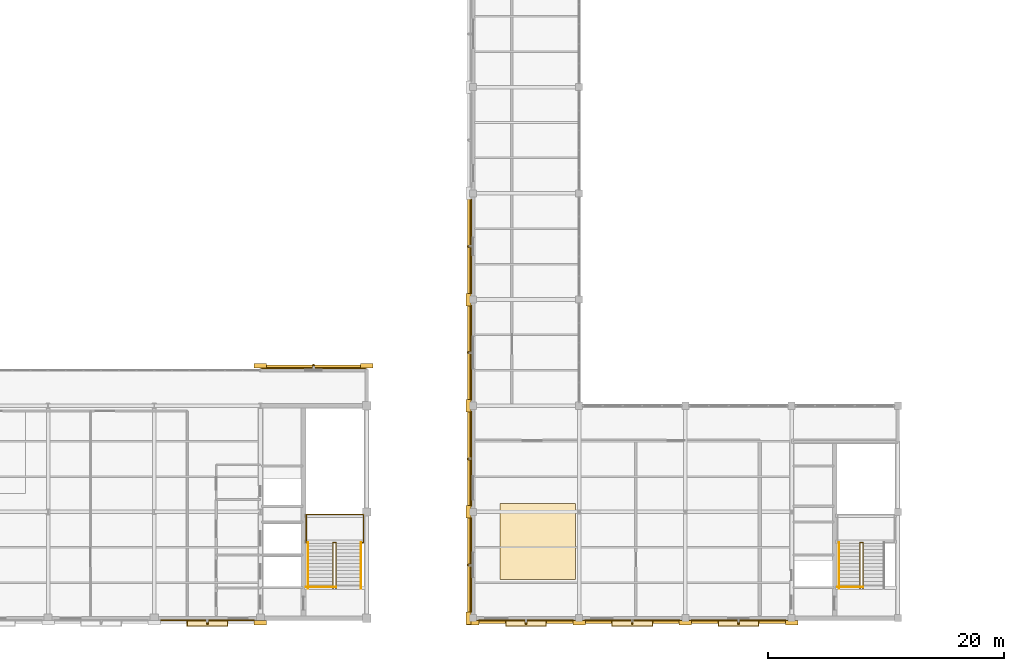
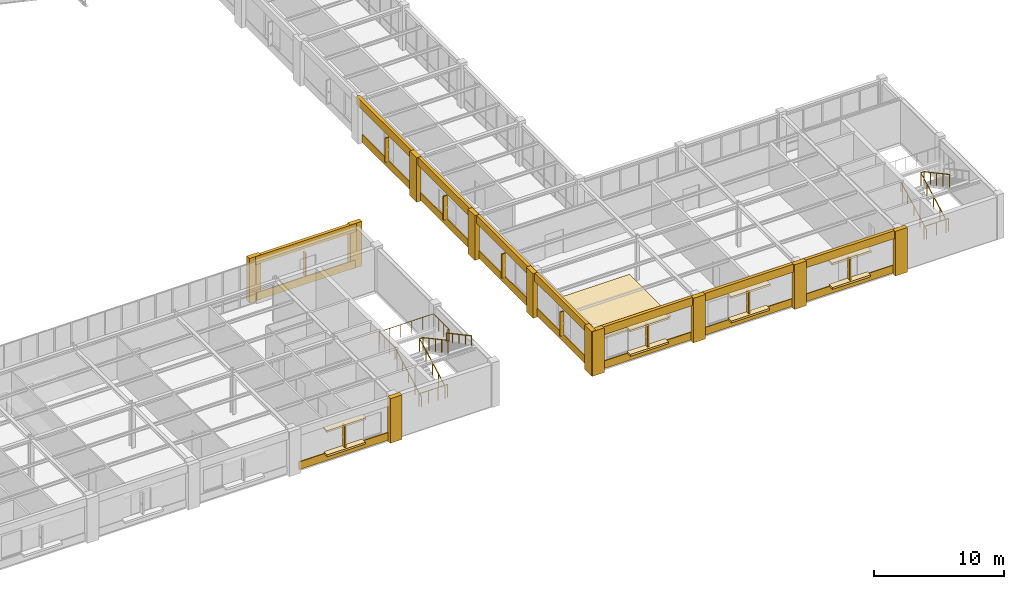
# One storey, part 125 of 130: 37 coverings, 9 shading devices, 8 railings.
"""IFC4 building model written with IfcOpenShell, lengths in metres."""

from ifc_helpers import new_model, si_unit, direction, frame, origin, origin_2d, place, context, subcontext, project, spatial, rectangle, circle, extrude, material, layer, layer_set, type_object, element, save


model = new_model("IFC4")

# Units and contexts
model_context = context("Model", 3, precision=1e-05, world=origin(), true_north=direction((0.0, 1.0)))
body_context = subcontext(model_context, "Body", "Model", "MODEL_VIEW")
ifc_project = project(units=[si_unit("LENGTHUNIT", "METRE"), si_unit("AREAUNIT", "SQUARE_METRE"), si_unit("VOLUMEUNIT", "CUBIC_METRE"), si_unit("PLANEANGLEUNIT", "RADIAN"), si_unit("MASSUNIT", "GRAM", prefix="KILO")], contexts=[model_context])

# Site, building, storey
site_placement = place(None, origin())
site = spatial("IfcSite", under=ifc_project, at=site_placement, CompositionType="ELEMENT")
building_placement = place(site_placement, origin())
building = spatial("IfcBuilding", under=site, at=building_placement, Name="Lykobir Media Centre", CompositionType="ELEMENT")
storey_placement = place(building_placement, frame((0.0, 0.0, 19.199951171875)))
storey = spatial("IfcBuildingStorey", under=building, at=storey_placement, Name="L04", CompositionType="ELEMENT", Elevation=19.199951171875)

# Coverings
ifc_material_1 = material(Name="Glazed Turquoise Terracotta", Category="masonry")
ifc_layer_1 = layer(ifc_material_1, 0.0400390625, Name="Glazed Turquoise Terracotta")
ifc_layer_set_1 = layer_set([ifc_layer_1], Name="Glazed Turquoise Terracotta")
covering_type_1 = type_object("IfcCoveringType", Name="CLD-TERR", PredefinedType="CLADDING", material=ifc_layer_set_1)
covering_1_placement = place(storey_placement, frame((67.5, -0.1708984375, 0.080078125), z_axis=(0.0, 0.0, 1.0), x_axis=(1.0, 0.0, 0.0)))
element("IfcCovering", 1, at=covering_1_placement, inside=storey, type_object=covering_type_1, Name="Facade spandrel apron 618", PredefinedType="CLADDING", context=body_context, shape_type="SweptSolid", body=[
    extrude(rectangle(XDim=7.929931640625, YDim=0.10009765625, at=origin_2d()), origin(), (0.0, 0.0, 1.0), 0.719970703125),
])
covering_2_placement = place(storey_placement, frame((76.5, 21.1708984375, 0.080078125), z_axis=(0.0, 0.0, 1.0), x_axis=(-1.0, 0.0, 0.0)))
element("IfcCovering", 2, at=covering_2_placement, inside=storey, type_object=covering_type_1, Name="Facade spandrel apron 624", PredefinedType="CLADDING", context=body_context, shape_type="SweptSolid", body=[
    extrude(rectangle(XDim=8.75, YDim=0.10009765625, at=origin_2d()), origin(), (0.0, 0.0, 1.0), 0.719970703125),
])
for number, where, z_axis, x_axis, name in (
    (3, (89.8291015625, 22.5, 0.080078125), (0.0, 0.0, 1.0), (0.0, -1.0, 0.0), "Facade spandrel apron 675"),
    (4, (89.8291015625, 31.5, 0.080078125), (0.0, 0.0, 1.0), (0.0, -1.0, 0.0), "Facade spandrel apron 678"),
    (5, (89.8291015625, 4.5, 0.080078125), (0.0, 0.0, 1.0), (0.0, -1.0, 0.0), "Facade spandrel apron 694"),
    (6, (89.8291015625, 13.5, 0.080078125), (0.0, 0.0, 1.0), (0.0, -1.0, 0.0), "Facade spandrel apron 696"),
    (7, (94.5, -0.1708984375, 0.080078125), (0.0, 0.0, 1.0), (1.0, 0.0, 0.0), "Facade spandrel apron 700"),
    (8, (103.5, -0.1708984375, 0.080078125), (0.0, 0.0, 1.0), (1.0, 0.0, 0.0), "Facade spandrel apron 705"),
    (9, (112.5, -0.1708984375, 0.080078125), (0.0, 0.0, 1.0), (1.0, 0.0, 0.0), "Facade spandrel apron 710"),
):
    element("IfcCovering", number, at=place(storey_placement, frame(where, z_axis=z_axis, x_axis=x_axis)), inside=storey, type_object=covering_type_1, Name=name, PredefinedType="CLADDING", context=body_context, shape_type="SweptSolid", body=[
        extrude(rectangle(XDim=8.030029296875, YDim=0.10009765625, at=origin_2d()), origin(), (0.0, 0.0, 1.0), 0.719970703125),
    ])
ifc_material_2 = material(Name="Honed Travertine Stone", Category="masonry")
ifc_layer_2 = layer(ifc_material_2, 0.050048828125, Name="Honed Travertine Stone")
ifc_layer_set_2 = layer_set([ifc_layer_2], Name="Honed Travertine Stone")
covering_type_2 = type_object("IfcCoveringType", Name="CLD-TRAV", PredefinedType="CLADDING", material=ifc_layer_set_2)
covering_3_placement = place(storey_placement, frame((72.0, -0.3798828125, 0.0), z_axis=(0.0, 0.0, 1.0), x_axis=(1.0, 0.0, 0.0)))
element("IfcCovering", 10, at=covering_3_placement, inside=storey, type_object=covering_type_2, Name="Travertine column pier 616", PredefinedType="CLADDING", context=body_context, shape_type="SweptSolid", body=[
    extrude(rectangle(XDim=1.06005859375, YDim=0.39990234375, at=origin_2d()), origin(), (0.0, 0.0, 1.0), 4.199951171875),
])
covering_4_placement = place(storey_placement, frame((67.5, -0.405029296875, 0.77001953125), z_axis=(0.0, 0.0, 1.0), x_axis=(1.0, 0.0, 0.0)))
element("IfcCovering", 11, at=covering_4_placement, inside=storey, type_object=covering_type_2, Name="Ottoman Cumba sill 619", PredefinedType="CLADDING", context=body_context, shape_type="SweptSolid", body=[
    extrude(rectangle(XDim=3.39990234375, YDim=0.52001953125, at=origin_2d()), origin(), (0.0, 0.0, 1.0), 0.179931640625),
])
covering_5_placement = place(storey_placement, frame((67.5, -0.405029296875, 3.08984375), z_axis=(0.0, 0.0, 1.0), x_axis=(1.0, 0.0, 0.0)))
element("IfcCovering", 12, at=covering_5_placement, inside=storey, type_object=covering_type_2, Name="Ottoman Cumba canopy 620", PredefinedType="CLADDING", context=body_context, shape_type="SweptSolid", body=[
    extrude(rectangle(XDim=3.5, YDim=0.60009765625, at=origin_2d()), origin(), (0.0, 0.0, 1.0), 0.179931640625),
])
for number, where, z_axis, x_axis, name in (
    (13, (81.0, 21.3798828125, 0.0), (0.0, 0.0, 1.0), (-1.0, 0.0, 0.0), "Travertine column pier 621"),
    (14, (72.0, 21.3798828125, 0.0), (0.0, 0.0, 1.0), (-1.0, 0.0, 0.0), "Travertine column pier 622"),
):
    element("IfcCovering", number, at=place(storey_placement, frame(where, z_axis=z_axis, x_axis=x_axis)), inside=storey, type_object=covering_type_2, Name=name, PredefinedType="CLADDING", context=body_context, shape_type="SweptSolid", body=[
        extrude(rectangle(XDim=1.06005859375, YDim=0.39990234375, at=origin_2d()), origin(), (0.0, 0.0, 1.0), 4.199951171875),
    ])
covering_6_placement = place(storey_placement, frame((76.5, 21.300048828125, 3.43994140625), z_axis=(0.0, 0.0, 1.0), x_axis=(-1.0, 0.0, 0.0)))
element("IfcCovering", 15, at=covering_6_placement, inside=storey, type_object=covering_type_2, Name="Travertine spandrel stringcourse 623", PredefinedType="CLADDING", context=body_context, shape_type="SweptSolid", body=[
    extrude(rectangle(XDim=9.0, YDim=0.280029296875, at=origin_2d()), origin(), (0.0, 0.0, 1.0), 0.760009765625),
])
for number, where, z_axis, x_axis, name in (
    (16, (89.6201171875, 27.0, 0.0), (0.0, 0.0, 1.0), (0.0, -1.0, 0.0), "Travertine column pier 672"),
    (17, (89.6201171875, 18.0, 0.0), (0.0, 0.0, 1.0), (0.0, -1.0, 0.0), "Travertine column pier 673"),
):
    element("IfcCovering", number, at=place(storey_placement, frame(where, z_axis=z_axis, x_axis=x_axis)), inside=storey, type_object=covering_type_2, Name=name, PredefinedType="CLADDING", context=body_context, shape_type="SweptSolid", body=[
        extrude(rectangle(XDim=1.06005859375, YDim=0.39990234375, at=origin_2d()), origin(), (0.0, 0.0, 1.0), 4.199951171875),
    ])
for number, where, z_axis, x_axis, name in (
    (18, (89.699951171875, 22.5, 3.43994140625), (0.0, 0.0, 1.0), (0.0, -1.0, 0.0), "Travertine spandrel stringcourse 674"),
    (19, (89.699951171875, 31.5, 3.43994140625), (0.0, 0.0, 1.0), (0.0, -1.0, 0.0), "Travertine spandrel stringcourse 677"),
):
    element("IfcCovering", number, at=place(storey_placement, frame(where, z_axis=z_axis, x_axis=x_axis)), inside=storey, type_object=covering_type_2, Name=name, PredefinedType="CLADDING", context=body_context, shape_type="SweptSolid", body=[
        extrude(rectangle(XDim=9.0, YDim=0.280029296875, at=origin_2d()), origin(), (0.0, 0.0, 1.0), 0.760009765625),
    ])
for number, where, z_axis, x_axis, name in (
    (20, (89.6201171875, 9.0, 0.0), (0.0, 0.0, 1.0), (0.0, -1.0, 0.0), "Travertine column pier 691"),
    (21, (89.6201171875, 0.0, 0.0), (0.0, 0.0, 1.0), (0.0, -1.0, 0.0), "Travertine column pier 692"),
):
    element("IfcCovering", number, at=place(storey_placement, frame(where, z_axis=z_axis, x_axis=x_axis)), inside=storey, type_object=covering_type_2, Name=name, PredefinedType="CLADDING", context=body_context, shape_type="SweptSolid", body=[
        extrude(rectangle(XDim=1.06005859375, YDim=0.39990234375, at=origin_2d()), origin(), (0.0, 0.0, 1.0), 4.199951171875),
    ])
for number, where, z_axis, x_axis, name in (
    (22, (89.699951171875, 4.5, 3.43994140625), (0.0, 0.0, 1.0), (0.0, -1.0, 0.0), "Travertine spandrel stringcourse 693"),
    (23, (89.699951171875, 13.5, 3.43994140625), (0.0, 0.0, 1.0), (0.0, -1.0, 0.0), "Travertine spandrel stringcourse 695"),
):
    element("IfcCovering", number, at=place(storey_placement, frame(where, z_axis=z_axis, x_axis=x_axis)), inside=storey, type_object=covering_type_2, Name=name, PredefinedType="CLADDING", context=body_context, shape_type="SweptSolid", body=[
        extrude(rectangle(XDim=9.0, YDim=0.280029296875, at=origin_2d()), origin(), (0.0, 0.0, 1.0), 0.760009765625),
    ])
for number, where, z_axis, x_axis, name in (
    (24, (90.0, -0.3798828125, 0.0), (0.0, 0.0, 1.0), (1.0, 0.0, 0.0), "Travertine column pier 697"),
    (25, (99.0, -0.3798828125, 0.0), (0.0, 0.0, 1.0), (1.0, 0.0, 0.0), "Travertine column pier 698"),
):
    element("IfcCovering", number, at=place(storey_placement, frame(where, z_axis=z_axis, x_axis=x_axis)), inside=storey, type_object=covering_type_2, Name=name, PredefinedType="CLADDING", context=body_context, shape_type="SweptSolid", body=[
        extrude(rectangle(XDim=1.06005859375, YDim=0.39990234375, at=origin_2d()), origin(), (0.0, 0.0, 1.0), 4.199951171875),
    ])
covering_7_placement = place(storey_placement, frame((94.5, -0.300048828125, 3.43994140625), z_axis=(0.0, 0.0, 1.0), x_axis=(1.0, 0.0, 0.0)))
element("IfcCovering", 26, at=covering_7_placement, inside=storey, type_object=covering_type_2, Name="Travertine spandrel stringcourse 699", PredefinedType="CLADDING", context=body_context, shape_type="SweptSolid", body=[
    extrude(rectangle(XDim=9.0, YDim=0.280029296875, at=origin_2d()), origin(), (0.0, 0.0, 1.0), 0.760009765625),
])
covering_8_placement = place(storey_placement, frame((94.5, -0.405029296875, 0.77001953125), z_axis=(0.0, 0.0, 1.0), x_axis=(1.0, 0.0, 0.0)))
element("IfcCovering", 27, at=covering_8_placement, inside=storey, type_object=covering_type_2, Name="Ottoman Cumba sill 701", PredefinedType="CLADDING", context=body_context, shape_type="SweptSolid", body=[
    extrude(rectangle(XDim=3.39990234375, YDim=0.52001953125, at=origin_2d()), origin(), (0.0, 0.0, 1.0), 0.179931640625),
])
covering_9_placement = place(storey_placement, frame((94.5, -0.405029296875, 3.08984375), z_axis=(0.0, 0.0, 1.0), x_axis=(1.0, 0.0, 0.0)))
element("IfcCovering", 28, at=covering_9_placement, inside=storey, type_object=covering_type_2, Name="Ottoman Cumba canopy 702", PredefinedType="CLADDING", context=body_context, shape_type="SweptSolid", body=[
    extrude(rectangle(XDim=3.5, YDim=0.60009765625, at=origin_2d()), origin(), (0.0, 0.0, 1.0), 0.179931640625),
])
covering_10_placement = place(storey_placement, frame((108.0, -0.3798828125, 0.0), z_axis=(0.0, 0.0, 1.0), x_axis=(1.0, 0.0, 0.0)))
element("IfcCovering", 29, at=covering_10_placement, inside=storey, type_object=covering_type_2, Name="Travertine column pier 703", PredefinedType="CLADDING", context=body_context, shape_type="SweptSolid", body=[
    extrude(rectangle(XDim=1.06005859375, YDim=0.39990234375, at=origin_2d()), origin(), (0.0, 0.0, 1.0), 4.199951171875),
])
covering_11_placement = place(storey_placement, frame((103.5, -0.300048828125, 3.43994140625), z_axis=(0.0, 0.0, 1.0), x_axis=(1.0, 0.0, 0.0)))
element("IfcCovering", 30, at=covering_11_placement, inside=storey, type_object=covering_type_2, Name="Travertine spandrel stringcourse 704", PredefinedType="CLADDING", context=body_context, shape_type="SweptSolid", body=[
    extrude(rectangle(XDim=9.0, YDim=0.280029296875, at=origin_2d()), origin(), (0.0, 0.0, 1.0), 0.760009765625),
])
covering_12_placement = place(storey_placement, frame((103.5, -0.405029296875, 0.77001953125), z_axis=(0.0, 0.0, 1.0), x_axis=(1.0, 0.0, 0.0)))
element("IfcCovering", 31, at=covering_12_placement, inside=storey, type_object=covering_type_2, Name="Ottoman Cumba sill 706", PredefinedType="CLADDING", context=body_context, shape_type="SweptSolid", body=[
    extrude(rectangle(XDim=3.39990234375, YDim=0.52001953125, at=origin_2d()), origin(), (0.0, 0.0, 1.0), 0.179931640625),
])
covering_13_placement = place(storey_placement, frame((103.5, -0.405029296875, 3.08984375), z_axis=(0.0, 0.0, 1.0), x_axis=(1.0, 0.0, 0.0)))
element("IfcCovering", 32, at=covering_13_placement, inside=storey, type_object=covering_type_2, Name="Ottoman Cumba canopy 707", PredefinedType="CLADDING", context=body_context, shape_type="SweptSolid", body=[
    extrude(rectangle(XDim=3.5, YDim=0.60009765625, at=origin_2d()), origin(), (0.0, 0.0, 1.0), 0.179931640625),
])
covering_14_placement = place(storey_placement, frame((117.0, -0.3798828125, 0.0), z_axis=(0.0, 0.0, 1.0), x_axis=(1.0, 0.0, 0.0)))
element("IfcCovering", 33, at=covering_14_placement, inside=storey, type_object=covering_type_2, Name="Travertine column pier 708", PredefinedType="CLADDING", context=body_context, shape_type="SweptSolid", body=[
    extrude(rectangle(XDim=1.06005859375, YDim=0.39990234375, at=origin_2d()), origin(), (0.0, 0.0, 1.0), 4.199951171875),
])
covering_15_placement = place(storey_placement, frame((112.5, -0.300048828125, 3.43994140625), z_axis=(0.0, 0.0, 1.0), x_axis=(1.0, 0.0, 0.0)))
element("IfcCovering", 34, at=covering_15_placement, inside=storey, type_object=covering_type_2, Name="Travertine spandrel stringcourse 709", PredefinedType="CLADDING", context=body_context, shape_type="SweptSolid", body=[
    extrude(rectangle(XDim=9.0, YDim=0.280029296875, at=origin_2d()), origin(), (0.0, 0.0, 1.0), 0.760009765625),
])
covering_16_placement = place(storey_placement, frame((112.5, -0.405029296875, 0.77001953125), z_axis=(0.0, 0.0, 1.0), x_axis=(1.0, 0.0, 0.0)))
element("IfcCovering", 35, at=covering_16_placement, inside=storey, type_object=covering_type_2, Name="Ottoman Cumba sill 711", PredefinedType="CLADDING", context=body_context, shape_type="SweptSolid", body=[
    extrude(rectangle(XDim=3.39990234375, YDim=0.52001953125, at=origin_2d()), origin(), (0.0, 0.0, 1.0), 0.179931640625),
])
covering_17_placement = place(storey_placement, frame((112.5, -0.405029296875, 3.08984375), z_axis=(0.0, 0.0, 1.0), x_axis=(1.0, 0.0, 0.0)))
element("IfcCovering", 36, at=covering_17_placement, inside=storey, type_object=covering_type_2, Name="Ottoman Cumba canopy 712", PredefinedType="CLADDING", context=body_context, shape_type="SweptSolid", body=[
    extrude(rectangle(XDim=3.5, YDim=0.60009765625, at=origin_2d()), origin(), (0.0, 0.0, 1.0), 0.179931640625),
])
ifc_material_3 = material(Name="Acoustic Timber Panelling", Category="wood")
ifc_layer_3 = layer(ifc_material_3, 0.14990234375, Name="Acoustic Timber Panelling")
ifc_layer_set_3 = layer_set([ifc_layer_3], Name="Acoustic Timber Panelling")
covering_type_3 = type_object("IfcCoveringType", Name="COV-FLR-150", PredefinedType="FLOORING", material=ifc_layer_set_3)
covering_18_placement = place(storey_placement, frame((95.5, 6.5, 0.0), z_axis=(0.0, 0.0, 1.0), x_axis=(1.0, 0.0, 0.0)))
element("IfcCovering", 37, at=covering_18_placement, inside=storey, type_object=covering_type_3, Name="L04 floating studio acoustic floor 5", PredefinedType="FLOORING", context=body_context, shape_type="SweptSolid", body=[
    extrude(rectangle(XDim=6.39990234375, YDim=6.39990234375, at=origin_2d()), origin(), (0.0, 0.0, 1.0), 0.14990234375),
])

# Railings
ifc_material_4 = material(Name="Steel S355", Category="steel")
railing_type_1 = type_object("IfcRailingType", Name="GR-1200", PredefinedType="BALUSTRADE", material=ifc_material_4)
railing_1_placement = place(storey_placement, frame((75.8701171875, 2.6298828125, 0.0)))
element("IfcRailing", 38, at=railing_1_placement, inside=storey, type_object=railing_type_1, Name="ST-2 L04 arrival well guard", PredefinedType="BALUSTRADE", context=body_context, shape_type="SweptSolid", body=[
    extrude(circle(Radius=0.02392578125, at=origin_2d()), frame((0.0, 0.0, 1.17578125), z_axis=(1.0, 0.0, 0.0), x_axis=(0.0, 1.0, 0.0)), (0.0, 0.0, 1.0), 2.539794921875),
    extrude(circle(Radius=0.02099609375, at=origin_2d()), origin(), (0.0, 0.0, 1.0), 1.15185546875),
    extrude(circle(Radius=0.02099609375, at=origin_2d()), frame((0.8466796875, 0.0, 0.0)), (0.0, 0.0, 1.0), 1.15185546875),
    extrude(circle(Radius=0.02099609375, at=origin_2d()), frame((1.693115234375, 0.0, 0.0)), (0.0, 0.0, 1.0), 1.15185546875),
    extrude(circle(Radius=0.02099609375, at=origin_2d()), frame((2.539794921875, 0.0, 0.0)), (0.0, 0.0, 1.0), 1.15185546875),
])
railing_2_placement = place(storey_placement, frame((78.1298828125, 2.530029296875, 0.0)))
element("IfcRailing", 39, at=railing_2_placement, inside=storey, type_object=railing_type_1, Name="ST-2 L04 inner well and slot guard", PredefinedType="BALUSTRADE", context=body_context, shape_type="SweptSolid", body=[
    extrude(circle(Radius=0.02392578125, at=origin_2d()), frame((0.0, 0.0, 1.17578125), z_axis=(0.0, 0.880456940745, 0.474126117709), x_axis=(-1.0, 0.0, 0.0)), (0.0, 0.0, 1.0), 4.429443359375),
    extrude(circle(Radius=0.02392578125, at=origin_2d()), frame((0.0, 3.89990234375, 3.27587890625), z_axis=(1.0, 0.0, 0.0), x_axis=(0.0, 1.0, 0.0)), (0.0, 0.0, 1.0), 0.280029296875),
    extrude(circle(Radius=0.02392578125, at=origin_2d()), frame((0.280029296875, 3.89990234375, 3.27587890625), z_axis=(0.0, -0.88047994924, 0.474083388219), x_axis=(1.0, 0.0, 0.0)), (0.0, 0.0, 1.0), 4.42919921875),
    extrude(circle(Radius=0.02099609375, at=origin_2d()), origin(), (0.0, 0.0, 1.0), 1.15185546875),
    extrude(circle(Radius=0.02099609375, at=origin_2d()), frame((0.0, 0.97509765625, 0.52490234375)), (0.0, 0.0, 1.0), 1.15185546875),
    extrude(circle(Radius=0.02099609375, at=origin_2d()), frame((0.0, 1.949951171875, 1.050048828125)), (0.0, 0.0, 1.0), 1.15185546875),
    extrude(circle(Radius=0.02099609375, at=origin_2d()), frame((0.0, 2.9248046875, 1.5751953125)), (0.0, 0.0, 1.0), 1.15185546875),
    extrude(circle(Radius=0.02099609375, at=origin_2d()), frame((0.0, 3.89990234375, 2.10009765625)), (0.0, 0.0, 1.0), 1.15185546875),
    extrude(circle(Radius=0.02099609375, at=origin_2d()), frame((0.280029296875, 3.89990234375, 2.10009765625)), (0.0, 0.0, 1.0), 1.15185546875),
    extrude(circle(Radius=0.02099609375, at=origin_2d()), frame((0.280029296875, 2.9248046875, 2.625)), (0.0, 0.0, 1.0), 1.15185546875),
    extrude(circle(Radius=0.02099609375, at=origin_2d()), frame((0.280029296875, 1.949951171875, 3.14990234375)), (0.0, 0.0, 1.0), 1.15185546875),
    extrude(circle(Radius=0.02099609375, at=origin_2d()), frame((0.280029296875, 0.97509765625, 3.675048828125)), (0.0, 0.0, 1.0), 1.15185546875),
    extrude(circle(Radius=0.02099609375, at=origin_2d()), frame((0.280029296875, 0.0, 4.199951171875)), (0.0, 0.0, 1.0), 1.15185546875),
])
railing_3_placement = place(storey_placement, frame((75.989990234375, 6.389892578125, 2.10009765625)))
element("IfcRailing", 40, at=railing_3_placement, inside=storey, type_object=railing_type_1, Name="ST-2 L04 half-landing perimeter guard", PredefinedType="BALUSTRADE", context=body_context, shape_type="SweptSolid", body=[
    extrude(circle(Radius=0.02392578125, at=origin_2d()), frame((0.0, 0.0, 1.17578125), z_axis=(-1.0, 0.0, 0.0), x_axis=(0.0, -1.0, 0.0)), (0.0, 0.0, 1.0), 0.110107421875),
    extrude(circle(Radius=0.02392578125, at=origin_2d()), frame((-0.110107421875, 0.0, 1.17578125), z_axis=(0.0, 1.0, 0.0), x_axis=(-1.0, 0.0, 0.0)), (0.0, 0.0, 1.0), 2.400146484375),
    extrude(circle(Radius=0.02392578125, at=origin_2d()), frame((-0.110107421875, 2.400146484375, 1.17578125), z_axis=(1.0, 0.0, 0.0), x_axis=(0.0, 1.0, 0.0)), (0.0, 0.0, 1.0), 4.840087890625),
    extrude(circle(Radius=0.02392578125, at=origin_2d()), frame((4.72998046875, 2.400146484375, 1.17578125), z_axis=(0.0, -1.0, 0.0), x_axis=(1.0, 0.0, 0.0)), (0.0, 0.0, 1.0), 2.400146484375),
    extrude(circle(Radius=0.02392578125, at=origin_2d()), frame((4.72998046875, 0.0, 1.17578125), z_axis=(-1.0, 0.0, 0.0), x_axis=(0.0, -1.0, 0.0)), (0.0, 0.0, 1.0), 0.169921875),
    extrude(circle(Radius=0.02099609375, at=origin_2d()), origin(), (0.0, 0.0, 1.0), 1.15185546875),
    extrude(circle(Radius=0.02099609375, at=origin_2d()), frame((-0.110107421875, 0.0, 0.0)), (0.0, 0.0, 1.0), 1.15185546875),
    extrude(circle(Radius=0.02099609375, at=origin_2d()), frame((-0.110107421875, 0.800048828125, 0.0)), (0.0, 0.0, 1.0), 1.15185546875),
    extrude(circle(Radius=0.02099609375, at=origin_2d()), frame((-0.110107421875, 1.60009765625, 0.0)), (0.0, 0.0, 1.0), 1.15185546875),
    extrude(circle(Radius=0.02099609375, at=origin_2d()), frame((-0.110107421875, 2.400146484375, 0.0)), (0.0, 0.0, 1.0), 1.15185546875),
    extrude(circle(Radius=0.02099609375, at=origin_2d()), frame((0.85791015625, 2.400146484375, 0.0)), (0.0, 0.0, 1.0), 1.15185546875),
    extrude(circle(Radius=0.02099609375, at=origin_2d()), frame((1.825927734375, 2.400146484375, 0.0)), (0.0, 0.0, 1.0), 1.15185546875),
    extrude(circle(Radius=0.02099609375, at=origin_2d()), frame((2.7939453125, 2.400146484375, 0.0)), (0.0, 0.0, 1.0), 1.15185546875),
    extrude(circle(Radius=0.02099609375, at=origin_2d()), frame((3.761962890625, 2.400146484375, 0.0)), (0.0, 0.0, 1.0), 1.15185546875),
    extrude(circle(Radius=0.02099609375, at=origin_2d()), frame((4.72998046875, 2.400146484375, 0.0)), (0.0, 0.0, 1.0), 1.15185546875),
    extrude(circle(Radius=0.02099609375, at=origin_2d()), frame((4.72998046875, 1.60009765625, 0.0)), (0.0, 0.0, 1.0), 1.15185546875),
    extrude(circle(Radius=0.02099609375, at=origin_2d()), frame((4.72998046875, 0.800048828125, 0.0)), (0.0, 0.0, 1.0), 1.15185546875),
    extrude(circle(Radius=0.02099609375, at=origin_2d()), frame((4.72998046875, 0.0, 0.0)), (0.0, 0.0, 1.0), 1.15185546875),
    extrude(circle(Radius=0.02099609375, at=origin_2d()), frame((4.56005859375, 0.0, 0.0)), (0.0, 0.0, 1.0), 1.15185546875),
])
railing_4_placement = place(storey_placement, frame((120.8701171875, 2.6298828125, 0.0)))
element("IfcRailing", 41, at=railing_4_placement, inside=storey, type_object=railing_type_1, Name="ST-5 L04 arrival well guard", PredefinedType="BALUSTRADE", context=body_context, shape_type="SweptSolid", body=[
    extrude(circle(Radius=0.02392578125, at=origin_2d()), frame((0.0, 0.0, 1.17578125), z_axis=(1.0, 0.0, 0.0), x_axis=(0.0, 1.0, 0.0)), (0.0, 0.0, 1.0), 2.18994140625),
    extrude(circle(Radius=0.02099609375, at=origin_2d()), origin(), (0.0, 0.0, 1.0), 1.15185546875),
    extrude(circle(Radius=0.02099609375, at=origin_2d()), frame((1.094970703125, 0.0, 0.0)), (0.0, 0.0, 1.0), 1.15185546875),
    extrude(circle(Radius=0.02099609375, at=origin_2d()), frame((2.18994140625, 0.0, 0.0)), (0.0, 0.0, 1.0), 1.15185546875),
])
railing_5_placement = place(storey_placement, frame((122.780029296875, 2.530029296875, 0.0)))
element("IfcRailing", 42, at=railing_5_placement, inside=storey, type_object=railing_type_1, Name="ST-5 L04 inner well and slot guard", PredefinedType="BALUSTRADE", context=body_context, shape_type="SweptSolid", body=[
    extrude(circle(Radius=0.02392578125, at=origin_2d()), frame((0.0, 0.0, 1.17578125), z_axis=(0.0, 0.880456940745, 0.474126117709), x_axis=(-1.0, 0.0, 0.0)), (0.0, 0.0, 1.0), 4.429443359375),
    extrude(circle(Radius=0.02392578125, at=origin_2d()), frame((0.0, 3.89990234375, 3.27587890625), z_axis=(1.0, 0.0, 0.0), x_axis=(0.0, 1.0, 0.0)), (0.0, 0.0, 1.0), 0.280029296875),
    extrude(circle(Radius=0.02392578125, at=origin_2d()), frame((0.280029296875, 3.89990234375, 3.27587890625), z_axis=(0.0, -0.88047994924, 0.474083388219), x_axis=(1.0, 0.0, 0.0)), (0.0, 0.0, 1.0), 4.42919921875),
    extrude(circle(Radius=0.02099609375, at=origin_2d()), origin(), (0.0, 0.0, 1.0), 1.15185546875),
    extrude(circle(Radius=0.02099609375, at=origin_2d()), frame((0.0, 0.97509765625, 0.52490234375)), (0.0, 0.0, 1.0), 1.15185546875),
    extrude(circle(Radius=0.02099609375, at=origin_2d()), frame((0.0, 1.949951171875, 1.050048828125)), (0.0, 0.0, 1.0), 1.15185546875),
    extrude(circle(Radius=0.02099609375, at=origin_2d()), frame((0.0, 2.9248046875, 1.5751953125)), (0.0, 0.0, 1.0), 1.15185546875),
    extrude(circle(Radius=0.02099609375, at=origin_2d()), frame((0.0, 3.89990234375, 2.10009765625)), (0.0, 0.0, 1.0), 1.15185546875),
    extrude(circle(Radius=0.02099609375, at=origin_2d()), frame((0.280029296875, 3.89990234375, 2.10009765625)), (0.0, 0.0, 1.0), 1.15185546875),
    extrude(circle(Radius=0.02099609375, at=origin_2d()), frame((0.280029296875, 2.9248046875, 2.625)), (0.0, 0.0, 1.0), 1.15185546875),
    extrude(circle(Radius=0.02099609375, at=origin_2d()), frame((0.280029296875, 1.949951171875, 3.14990234375)), (0.0, 0.0, 1.0), 1.15185546875),
    extrude(circle(Radius=0.02099609375, at=origin_2d()), frame((0.280029296875, 0.97509765625, 3.675048828125)), (0.0, 0.0, 1.0), 1.15185546875),
    extrude(circle(Radius=0.02099609375, at=origin_2d()), frame((0.280029296875, 0.0, 4.199951171875)), (0.0, 0.0, 1.0), 1.15185546875),
])
railing_type_2 = type_object("IfcRailingType", Name="HR-0900", PredefinedType="HANDRAIL", material=ifc_material_4)
railing_6_placement = place(storey_placement, frame((76.030029296875, 2.530029296875, 0.0)))
element("IfcRailing", 43, at=railing_6_placement, inside=storey, type_object=railing_type_2, Name="ST-2 L04 F1 wall handrail", PredefinedType="HANDRAIL", context=body_context, shape_type="SweptSolid", body=[
    extrude(circle(Radius=0.02392578125, at=origin_2d()), frame((0.0, 0.0, 0.8759765625), z_axis=(0.0, 0.880456940745, 0.474126117709), x_axis=(-1.0, 0.0, 0.0)), (0.0, 0.0, 1.0), 4.429443359375),
    extrude(circle(Radius=0.02099609375, at=origin_2d()), origin(), (0.0, 0.0, 1.0), 0.851806640625),
    extrude(circle(Radius=0.02099609375, at=origin_2d()), frame((0.0, 0.97509765625, 0.52490234375)), (0.0, 0.0, 1.0), 0.851806640625),
    extrude(circle(Radius=0.02099609375, at=origin_2d()), frame((0.0, 1.949951171875, 1.050048828125)), (0.0, 0.0, 1.0), 0.851806640625),
    extrude(circle(Radius=0.02099609375, at=origin_2d()), frame((0.0, 2.9248046875, 1.5751953125)), (0.0, 0.0, 1.0), 0.851806640625),
    extrude(circle(Radius=0.02099609375, at=origin_2d()), frame((0.0, 3.89990234375, 2.10009765625)), (0.0, 0.0, 1.0), 0.851806640625),
])
railing_7_placement = place(storey_placement, frame((80.510009765625, 6.429931640625, 2.10009765625)))
element("IfcRailing", 44, at=railing_7_placement, inside=storey, type_object=railing_type_2, Name="ST-2 L04 F2 wall handrail", PredefinedType="HANDRAIL", context=body_context, shape_type="SweptSolid", body=[
    extrude(circle(Radius=0.02392578125, at=origin_2d()), frame((0.0, 0.0, 0.8759765625), z_axis=(0.0, -0.88047994924, 0.474083388219), x_axis=(1.0, 0.0, 0.0)), (0.0, 0.0, 1.0), 4.42919921875),
    extrude(circle(Radius=0.02099609375, at=origin_2d()), origin(), (0.0, 0.0, 1.0), 0.851806640625),
    extrude(circle(Radius=0.02099609375, at=origin_2d()), frame((0.0, -0.97509765625, 0.52490234375)), (0.0, 0.0, 1.0), 0.851806640625),
    extrude(circle(Radius=0.02099609375, at=origin_2d()), frame((0.0, -1.949951171875, 1.0498046875)), (0.0, 0.0, 1.0), 0.851806640625),
    extrude(circle(Radius=0.02099609375, at=origin_2d()), frame((0.0, -2.9248046875, 1.574951171875)), (0.0, 0.0, 1.0), 0.851806640625),
    extrude(circle(Radius=0.02099609375, at=origin_2d()), frame((0.0, -3.89990234375, 2.099853515625)), (0.0, 0.0, 1.0), 0.851806640625),
])
railing_8_placement = place(storey_placement, frame((121.030029296875, 2.530029296875, 0.0)))
element("IfcRailing", 45, at=railing_8_placement, inside=storey, type_object=railing_type_2, Name="ST-5 L04 F1 wall handrail", PredefinedType="HANDRAIL", context=body_context, shape_type="SweptSolid", body=[
    extrude(circle(Radius=0.02392578125, at=origin_2d()), frame((0.0, 0.0, 0.8759765625), z_axis=(0.0, 0.880456940745, 0.474126117709), x_axis=(-1.0, 0.0, 0.0)), (0.0, 0.0, 1.0), 4.429443359375),
    extrude(circle(Radius=0.02099609375, at=origin_2d()), origin(), (0.0, 0.0, 1.0), 0.851806640625),
    extrude(circle(Radius=0.02099609375, at=origin_2d()), frame((0.0, 0.97509765625, 0.52490234375)), (0.0, 0.0, 1.0), 0.851806640625),
    extrude(circle(Radius=0.02099609375, at=origin_2d()), frame((0.0, 1.949951171875, 1.050048828125)), (0.0, 0.0, 1.0), 0.851806640625),
    extrude(circle(Radius=0.02099609375, at=origin_2d()), frame((0.0, 2.9248046875, 1.5751953125)), (0.0, 0.0, 1.0), 0.851806640625),
    extrude(circle(Radius=0.02099609375, at=origin_2d()), frame((0.0, 3.89990234375, 2.10009765625)), (0.0, 0.0, 1.0), 0.851806640625),
])

# Shading devices
shading_device_type = type_object("IfcShadingDeviceType", Name="SHD-FIN", PredefinedType="USERDEFINED", material=ifc_material_1)
for number, where, z_axis, x_axis, name in (
    (46, (67.5, -0.324951171875, 0.72509765625), (0.0, 0.0, 1.0), (1.0, 0.0, 0.0), "Terracotta shading fin 54"),
    (47, (76.5, 21.324951171875, 0.72509765625), (0.0, 0.0, 1.0), (-1.0, 0.0, 0.0), "Terracotta shading fin 55"),
    (48, (89.675048828125, 22.5, 0.72509765625), (0.0, 0.0, 1.0), (0.0, -1.0, 0.0), "Terracotta shading fin 65"),
    (49, (89.675048828125, 31.5, 0.72509765625), (0.0, 0.0, 1.0), (0.0, -1.0, 0.0), "Terracotta shading fin 66"),
    (50, (89.675048828125, 4.5, 0.72509765625), (0.0, 0.0, 1.0), (0.0, -1.0, 0.0), "Terracotta shading fin 71"),
    (51, (89.675048828125, 13.5, 0.72509765625), (0.0, 0.0, 1.0), (0.0, -1.0, 0.0), "Terracotta shading fin 72"),
    (52, (94.5, -0.324951171875, 0.72509765625), (0.0, 0.0, 1.0), (1.0, 0.0, 0.0), "Terracotta shading fin 73"),
    (53, (103.5, -0.324951171875, 0.72509765625), (0.0, 0.0, 1.0), (1.0, 0.0, 0.0), "Terracotta shading fin 74"),
    (54, (112.5, -0.324951171875, 0.72509765625), (0.0, 0.0, 1.0), (1.0, 0.0, 0.0), "Terracotta shading fin 75"),
):
    element("IfcShadingDevice", number, at=place(storey_placement, frame(where, z_axis=z_axis, x_axis=x_axis)), inside=storey, type_object=shading_device_type, Name=name, ObjectType="FIN", PredefinedType="USERDEFINED", context=body_context, shape_type="SweptSolid", body=[
        extrude(rectangle(XDim=0.1201171875, YDim=0.35009765625, at=origin_2d()), origin(), (0.0, 0.0, 1.0), 2.25),
    ])

save(model, "model.ifc")
